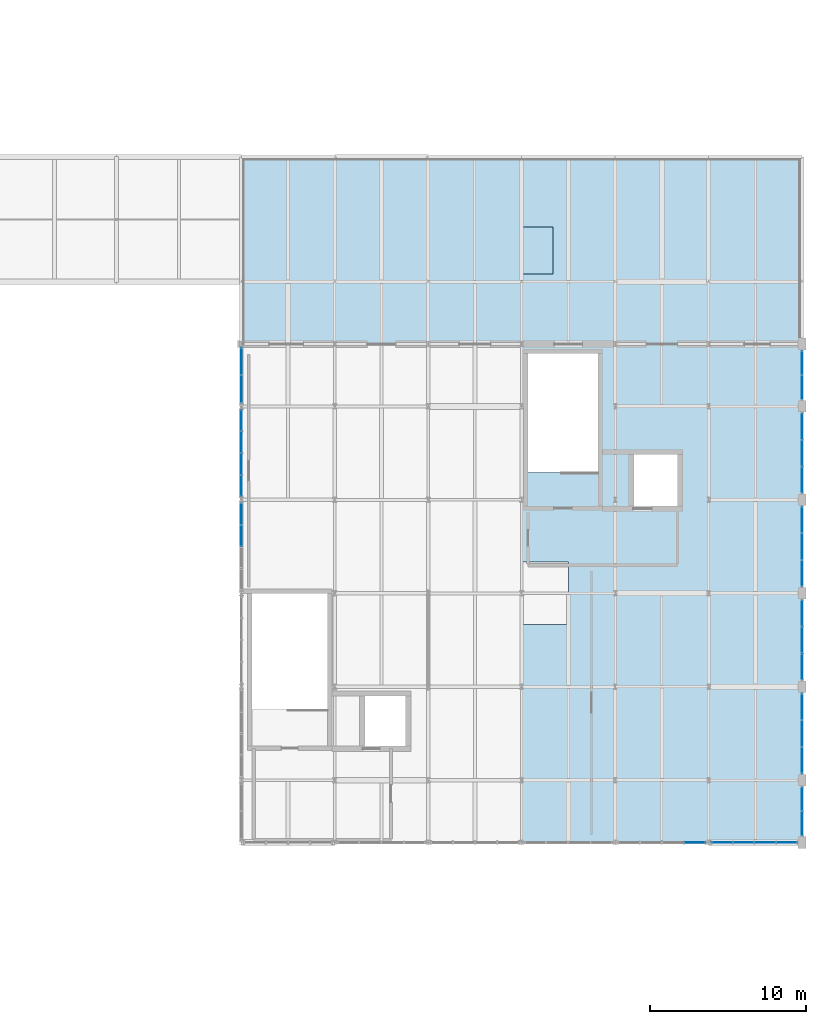
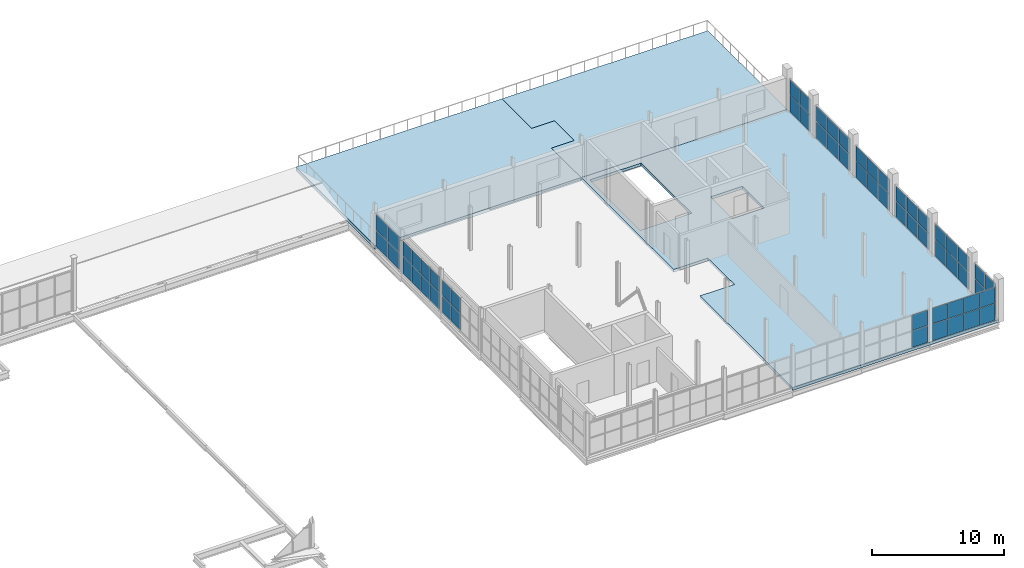
# One storey, part 80 of 96: 58 plates, 3 slabs, 11 elements without a shape of their own.
"""IFC4 building model written with IfcOpenShell, lengths in metres."""

from ifc_helpers import new_model, si_unit, direction, frame, origin, origin_2d, place, context, subcontext, project, spatial, polyline, rectangle, outline, extrude, material, layer, layer_set, type_object, element, aggregate, save


model = new_model("IFC4")

# Units and contexts
model_context = context("Model", 3, precision=1e-05, world=origin(), true_north=direction((0.0, 1.0)))
body_context = subcontext(model_context, "Body", "Model", "MODEL_VIEW")
ifc_project = project(units=[si_unit("LENGTHUNIT", "METRE"), si_unit("AREAUNIT", "SQUARE_METRE"), si_unit("VOLUMEUNIT", "CUBIC_METRE"), si_unit("PLANEANGLEUNIT", "RADIAN"), si_unit("MASSUNIT", "GRAM", prefix="KILO")], contexts=[model_context])

# Site, building, storey
site_placement = place(None, origin())
site = spatial("IfcSite", under=ifc_project, at=site_placement, CompositionType="ELEMENT")
building_placement = place(site_placement, origin())
building = spatial("IfcBuilding", under=site, at=building_placement, Name="Verrall Gate Interchange", CompositionType="ELEMENT")
storey_placement = place(building_placement, frame((0.0, 0.0, 11.39990234375)))
storey = spatial("IfcBuildingStorey", under=building, at=storey_placement, Name="L03", CompositionType="ELEMENT", Elevation=11.39990234375)

# Curtain wall, plates
ifc_material_1 = material(Name="Thermally Broken Anodized Aluminium Curtain Wall Framing", Category="aluminium")
curtain_wall_type_1 = type_object("IfcCurtainWallType", Name="CW-31 Unitized Curtain Wall 5682x3110", PredefinedType="NOTDEFINED", material=ifc_material_1)
curtain_wall_1_placement = place(storey_placement, origin())
curtain_wall_1 = element("IfcCurtainWall", 1, at=curtain_wall_1_placement, inside=storey, type_object=curtain_wall_type_1, Name="L03 Unitized Curtain Wall CW-L03-113", PredefinedType="NOTDEFINED")
ifc_material_2 = material(Name="Triple-Glazed Low-E Argon Insulated Curtain Panel (U=1.45)", Category="glass")
ifc_layer_1 = layer(ifc_material_2, 0.030029296875)
ifc_layer_set_1 = layer_set([ifc_layer_1], Name="Triple-Glazed Low-E Argon Insulated Curtain Panel (U=1.45)")
plate_type_1 = type_object("IfcPlateType", Name="CP-01 Curtain Glazing Panel 30", PredefinedType="CURTAIN_PANEL", material=ifc_layer_set_1)
plate_1_placement = place(storey_placement, frame((161.112060546875, 12.0, 0.06298828125), z_axis=(0.0, 0.0, 1.0), x_axis=(1.0, 0.0, 0.0)))
plate_1 = element("IfcPlate", 2, at=plate_1_placement, type_object=plate_type_1, Name="CW-L03-113 Glazing Panel 4.1", PredefinedType="CURTAIN_PANEL", context=body_context, shape_type="SweptSolid", body=[
    extrude(rectangle(XDim=1.33203125, YDim=0.030029296875, at=origin_2d()), origin(), (0.0, 0.0, 1.0), 1.52880859375),
])
plate_2_placement = place(storey_placement, frame((161.112060546875, 12.0, 1.642822265625), z_axis=(0.0, 0.0, 1.0), x_axis=(1.0, 0.0, 0.0)))
plate_2 = element("IfcPlate", 3, at=plate_2_placement, type_object=plate_type_1, Name="CW-L03-113 Glazing Panel 4.2", PredefinedType="CURTAIN_PANEL", context=body_context, shape_type="SweptSolid", body=[
    extrude(rectangle(XDim=1.33203125, YDim=0.030029296875, at=origin_2d()), origin(), (0.0, 0.0, 1.0), 1.404296875),
])
aggregate(curtain_wall_1, [plate_1, plate_2])

ifc_material_3 = material(Name="Thermally Broken Anodized Aluminium Curtain Wall Framing", Category="aluminium")
curtain_wall_type_2 = type_object("IfcCurtainWallType", Name="CW-38 Unitized Curtain Wall 5186x3110", PredefinedType="NOTDEFINED", material=ifc_material_3)
curtain_wall_2_placement = place(storey_placement, origin())
curtain_wall_2 = element("IfcCurtainWall", 4, at=curtain_wall_2_placement, inside=storey, type_object=curtain_wall_type_2, Name="L03 Unitized Curtain Wall CW-L03-116", PredefinedType="NOTDEFINED")
plate_3_placement = place(storey_placement, frame((168.0, 17.28759765625, 0.0546875), z_axis=(0.0, 0.0, 1.0), x_axis=(0.0, 1.0, 0.0)))
plate_3 = element("IfcPlate", 5, at=plate_3_placement, type_object=plate_type_1, Name="CW-L03-116 Glazing Panel 1.1", PredefinedType="CURTAIN_PANEL", context=body_context, shape_type="SweptSolid", body=[
    extrude(rectangle(XDim=1.652099609375, YDim=0.030029296875, at=origin_2d()), origin(), (0.0, 0.0, 1.0), 1.54052734375),
])
plate_4_placement = place(storey_placement, frame((168.0, 17.28759765625, 1.639404296875), z_axis=(0.0, 0.0, 1.0), x_axis=(0.0, 1.0, 0.0)))
plate_4 = element("IfcPlate", 6, at=plate_4_placement, type_object=plate_type_1, Name="CW-L03-116 Glazing Panel 1.2", PredefinedType="CURTAIN_PANEL", context=body_context, shape_type="SweptSolid", body=[
    extrude(rectangle(XDim=1.652099609375, YDim=0.030029296875, at=origin_2d()), origin(), (0.0, 0.0, 1.0), 1.416015625),
])
plate_5_placement = place(storey_placement, frame((168.0, 19.0, 0.0546875), z_axis=(0.0, 0.0, 1.0), x_axis=(0.0, 1.0, 0.0)))
plate_5 = element("IfcPlate", 7, at=plate_5_placement, type_object=plate_type_1, Name="CW-L03-116 Glazing Panel 2.1", PredefinedType="CURTAIN_PANEL", context=body_context, shape_type="SweptSolid", body=[
    extrude(rectangle(XDim=1.684326171875, YDim=0.030029296875, at=origin_2d()), origin(), (0.0, 0.0, 1.0), 1.54052734375),
])
plate_6_placement = place(storey_placement, frame((168.0, 19.0, 1.639404296875), z_axis=(0.0, 0.0, 1.0), x_axis=(0.0, 1.0, 0.0)))
plate_6 = element("IfcPlate", 8, at=plate_6_placement, type_object=plate_type_1, Name="CW-L03-116 Glazing Panel 2.2", PredefinedType="CURTAIN_PANEL", context=body_context, shape_type="SweptSolid", body=[
    extrude(rectangle(XDim=1.684326171875, YDim=0.030029296875, at=origin_2d()), origin(), (0.0, 0.0, 1.0), 1.416015625),
])
plate_7_placement = place(storey_placement, frame((168.0, 20.71240234375, 0.0546875), z_axis=(0.0, 0.0, 1.0), x_axis=(0.0, 1.0, 0.0)))
plate_7 = element("IfcPlate", 9, at=plate_7_placement, type_object=plate_type_1, Name="CW-L03-116 Glazing Panel 3.1", PredefinedType="CURTAIN_PANEL", context=body_context, shape_type="SweptSolid", body=[
    extrude(rectangle(XDim=1.652099609375, YDim=0.030029296875, at=origin_2d()), origin(), (0.0, 0.0, 1.0), 1.54052734375),
])
plate_8_placement = place(storey_placement, frame((168.0, 20.71240234375, 1.639404296875), z_axis=(0.0, 0.0, 1.0), x_axis=(0.0, 1.0, 0.0)))
plate_8 = element("IfcPlate", 10, at=plate_8_placement, type_object=plate_type_1, Name="CW-L03-116 Glazing Panel 3.2", PredefinedType="CURTAIN_PANEL", context=body_context, shape_type="SweptSolid", body=[
    extrude(rectangle(XDim=1.652099609375, YDim=0.030029296875, at=origin_2d()), origin(), (0.0, 0.0, 1.0), 1.416015625),
])
aggregate(curtain_wall_2, [plate_3, plate_4, plate_5, plate_6, plate_7, plate_8])

ifc_material_4 = material(Name="Thermally Broken Anodized Aluminium Curtain Wall Framing", Category="aluminium")
curtain_wall_type_3 = type_object("IfcCurtainWallType", Name="CW-39 Unitized Curtain Wall 5186x3030", PredefinedType="NOTDEFINED", material=ifc_material_4)
curtain_wall_3_placement = place(storey_placement, origin())
curtain_wall_3 = element("IfcCurtainWall", 11, at=curtain_wall_3_placement, inside=storey, type_object=curtain_wall_type_3, Name="L03 Unitized Curtain Wall CW-L03-117", PredefinedType="NOTDEFINED")
plate_9_placement = place(storey_placement, frame((168.0, 23.2900390625, 0.06298828125), z_axis=(0.0, 0.0, 1.0), x_axis=(0.0, 1.0, 0.0)))
plate_9 = element("IfcPlate", 12, at=plate_9_placement, type_object=plate_type_1, Name="CW-L03-117 Glazing Panel 1.1", PredefinedType="CURTAIN_PANEL", context=body_context, shape_type="SweptSolid", body=[
    extrude(rectangle(XDim=1.64013671875, YDim=0.030029296875, at=origin_2d()), origin(), (0.0, 0.0, 1.0), 1.487060546875),
])
plate_10_placement = place(storey_placement, frame((168.0, 23.2900390625, 1.60107421875), z_axis=(0.0, 0.0, 1.0), x_axis=(0.0, 1.0, 0.0)))
plate_10 = element("IfcPlate", 13, at=plate_10_placement, type_object=plate_type_1, Name="CW-L03-117 Glazing Panel 1.2", PredefinedType="CURTAIN_PANEL", context=body_context, shape_type="SweptSolid", body=[
    extrude(rectangle(XDim=1.64013671875, YDim=0.030029296875, at=origin_2d()), origin(), (0.0, 0.0, 1.0), 1.365966796875),
])
plate_11_placement = place(storey_placement, frame((168.0, 25.0, 0.06298828125), z_axis=(0.0, 0.0, 1.0), x_axis=(0.0, 1.0, 0.0)))
plate_11 = element("IfcPlate", 14, at=plate_11_placement, type_object=plate_type_1, Name="CW-L03-117 Glazing Panel 2.1", PredefinedType="CURTAIN_PANEL", context=body_context, shape_type="SweptSolid", body=[
    extrude(rectangle(XDim=1.677490234375, YDim=0.030029296875, at=origin_2d()), origin(), (0.0, 0.0, 1.0), 1.487060546875),
])
plate_12_placement = place(storey_placement, frame((168.0, 25.0, 1.60107421875), z_axis=(0.0, 0.0, 1.0), x_axis=(0.0, 1.0, 0.0)))
plate_12 = element("IfcPlate", 15, at=plate_12_placement, type_object=plate_type_1, Name="CW-L03-117 Glazing Panel 2.2", PredefinedType="CURTAIN_PANEL", context=body_context, shape_type="SweptSolid", body=[
    extrude(rectangle(XDim=1.677490234375, YDim=0.030029296875, at=origin_2d()), origin(), (0.0, 0.0, 1.0), 1.365966796875),
])
plate_13_placement = place(storey_placement, frame((168.0, 26.7099609375, 0.06298828125), z_axis=(0.0, 0.0, 1.0), x_axis=(0.0, 1.0, 0.0)))
plate_13 = element("IfcPlate", 16, at=plate_13_placement, type_object=plate_type_1, Name="CW-L03-117 Glazing Panel 3.1", PredefinedType="CURTAIN_PANEL", context=body_context, shape_type="SweptSolid", body=[
    extrude(rectangle(XDim=1.64013671875, YDim=0.030029296875, at=origin_2d()), origin(), (0.0, 0.0, 1.0), 1.487060546875),
])
plate_14_placement = place(storey_placement, frame((168.0, 26.7099609375, 1.60107421875), z_axis=(0.0, 0.0, 1.0), x_axis=(0.0, 1.0, 0.0)))
plate_14 = element("IfcPlate", 17, at=plate_14_placement, type_object=plate_type_1, Name="CW-L03-117 Glazing Panel 3.2", PredefinedType="CURTAIN_PANEL", context=body_context, shape_type="SweptSolid", body=[
    extrude(rectangle(XDim=1.64013671875, YDim=0.030029296875, at=origin_2d()), origin(), (0.0, 0.0, 1.0), 1.365966796875),
])
aggregate(curtain_wall_3, [plate_9, plate_10, plate_11, plate_12, plate_13, plate_14])

ifc_material_5 = material(Name="Thermally Broken Anodized Aluminium Curtain Wall Framing", Category="aluminium")
curtain_wall_type_4 = type_object("IfcCurtainWallType", Name="CW-37 Unitized Curtain Wall 3186x3110", PredefinedType="NOTDEFINED", material=ifc_material_5)
curtain_wall_4_placement = place(storey_placement, origin())
curtain_wall_4 = element("IfcCurtainWall", 18, at=curtain_wall_4_placement, inside=storey, type_object=curtain_wall_type_4, Name="L03 Unitized Curtain Wall CW-L03-120", PredefinedType="NOTDEFINED")
plate_15_placement = place(storey_placement, frame((168.0, 41.2197265625, 0.0546875), z_axis=(0.0, 0.0, 1.0), x_axis=(0.0, 1.0, 0.0)))
plate_15 = element("IfcPlate", 19, at=plate_15_placement, type_object=plate_type_1, Name="CW-L03-120 Glazing Panel 1.1", PredefinedType="CURTAIN_PANEL", context=body_context, shape_type="SweptSolid", body=[
    extrude(rectangle(XDim=1.516357421875, YDim=0.030029296875, at=origin_2d()), origin(), (0.0, 0.0, 1.0), 1.54052734375),
])
plate_16_placement = place(storey_placement, frame((168.0, 41.2197265625, 1.639404296875), z_axis=(0.0, 0.0, 1.0), x_axis=(0.0, 1.0, 0.0)))
plate_16 = element("IfcPlate", 20, at=plate_16_placement, type_object=plate_type_1, Name="CW-L03-120 Glazing Panel 1.2", PredefinedType="CURTAIN_PANEL", context=body_context, shape_type="SweptSolid", body=[
    extrude(rectangle(XDim=1.516357421875, YDim=0.030029296875, at=origin_2d()), origin(), (0.0, 0.0, 1.0), 1.416015625),
])
plate_17_placement = place(storey_placement, frame((168.0, 42.7802734375, 0.0546875), z_axis=(0.0, 0.0, 1.0), x_axis=(0.0, 1.0, 0.0)))
plate_17 = element("IfcPlate", 21, at=plate_17_placement, type_object=plate_type_1, Name="CW-L03-120 Glazing Panel 2.1", PredefinedType="CURTAIN_PANEL", context=body_context, shape_type="SweptSolid", body=[
    extrude(rectangle(XDim=1.516357421875, YDim=0.030029296875, at=origin_2d()), origin(), (0.0, 0.0, 1.0), 1.54052734375),
])
plate_18_placement = place(storey_placement, frame((168.0, 42.7802734375, 1.639404296875), z_axis=(0.0, 0.0, 1.0), x_axis=(0.0, 1.0, 0.0)))
plate_18 = element("IfcPlate", 22, at=plate_18_placement, type_object=plate_type_1, Name="CW-L03-120 Glazing Panel 2.2", PredefinedType="CURTAIN_PANEL", context=body_context, shape_type="SweptSolid", body=[
    extrude(rectangle(XDim=1.516357421875, YDim=0.030029296875, at=origin_2d()), origin(), (0.0, 0.0, 1.0), 1.416015625),
])
aggregate(curtain_wall_4, [plate_15, plate_16, plate_17, plate_18])

ifc_material_6 = material(Name="Thermally Broken Anodized Aluminium Curtain Wall Framing", Category="aluminium")
curtain_wall_type_5 = type_object("IfcCurtainWallType", Name="CW-17 Unitized Curtain Wall 3631x3100", PredefinedType="NOTDEFINED", material=ifc_material_6)
curtain_wall_5_placement = place(storey_placement, origin())
curtain_wall_5 = element("IfcCurtainWall", 23, at=curtain_wall_5_placement, inside=storey, type_object=curtain_wall_type_5, Name="L03 Unitized Curtain Wall CW-L03-121", PredefinedType="NOTDEFINED")
plate_19_placement = place(storey_placement, frame((132.0, 42.888671875, 0.06298828125), z_axis=(0.0, 0.0, 1.0), x_axis=(0.0, -1.0, 0.0)))
plate_19 = element("IfcPlate", 24, at=plate_19_placement, type_object=plate_type_1, Name="CW-L03-121 Glazing Panel 1.1", PredefinedType="CURTAIN_PANEL", context=body_context, shape_type="SweptSolid", body=[
    extrude(rectangle(XDim=1.7265625, YDim=0.030029296875, at=origin_2d()), origin(), (0.0, 0.0, 1.0), 1.52880859375),
])
plate_20_placement = place(storey_placement, frame((132.0, 42.888671875, 1.642822265625), z_axis=(0.0, 0.0, 1.0), x_axis=(0.0, -1.0, 0.0)))
plate_20 = element("IfcPlate", 25, at=plate_20_placement, type_object=plate_type_1, Name="CW-L03-121 Glazing Panel 1.2", PredefinedType="CURTAIN_PANEL", context=body_context, shape_type="SweptSolid", body=[
    extrude(rectangle(XDim=1.7265625, YDim=0.030029296875, at=origin_2d()), origin(), (0.0, 0.0, 1.0), 1.404296875),
])
plate_21_placement = place(storey_placement, frame((132.0, 41.111083984375, 0.06298828125), z_axis=(0.0, 0.0, 1.0), x_axis=(0.0, -1.0, 0.0)))
plate_21 = element("IfcPlate", 26, at=plate_21_placement, type_object=plate_type_1, Name="CW-L03-121 Glazing Panel 2.1", PredefinedType="CURTAIN_PANEL", context=body_context, shape_type="SweptSolid", body=[
    extrude(rectangle(XDim=1.7265625, YDim=0.030029296875, at=origin_2d()), origin(), (0.0, 0.0, 1.0), 1.52880859375),
])
plate_22_placement = place(storey_placement, frame((132.0, 41.111083984375, 1.642822265625), z_axis=(0.0, 0.0, 1.0), x_axis=(0.0, -1.0, 0.0)))
plate_22 = element("IfcPlate", 27, at=plate_22_placement, type_object=plate_type_1, Name="CW-L03-121 Glazing Panel 2.2", PredefinedType="CURTAIN_PANEL", context=body_context, shape_type="SweptSolid", body=[
    extrude(rectangle(XDim=1.7265625, YDim=0.030029296875, at=origin_2d()), origin(), (0.0, 0.0, 1.0), 1.404296875),
])
aggregate(curtain_wall_5, [plate_19, plate_20, plate_21, plate_22])

ifc_material_7 = material(Name="Thermally Broken Anodized Aluminium Curtain Wall Framing", Category="aluminium")
curtain_wall_type_6 = type_object("IfcCurtainWallType", Name="CW-36 Unitized Curtain Wall 5559x3110", PredefinedType="NOTDEFINED", material=ifc_material_7)
curtain_wall_6_placement = place(storey_placement, origin())
curtain_wall_6 = element("IfcCurtainWall", 28, at=curtain_wall_6_placement, inside=storey, type_object=curtain_wall_type_6, Name="L03 Unitized Curtain Wall CW-L03-114", PredefinedType="NOTDEFINED")
ifc_material_8 = material(Name="Triple-Glazed Low-E Argon Insulated Curtain Panel (U=1.45)", Category="glass")
ifc_layer_2 = layer(ifc_material_8, 0.0400390625)
ifc_layer_set_2 = layer_set([ifc_layer_2], Name="Triple-Glazed Low-E Argon Insulated Curtain Panel (U=1.45)")
plate_type_2 = type_object("IfcPlateType", Name="CP-02 Curtain Glazing Panel 40", PredefinedType="CURTAIN_PANEL", material=ifc_layer_set_2)
plate_23_placement = place(storey_placement, frame((162.8701171875, 12.0, 0.0546875), z_axis=(0.0, 0.0, 1.0), x_axis=(1.0, 0.0, 0.0)))
plate_23 = element("IfcPlate", 29, at=plate_23_placement, type_object=plate_type_2, Name="CW-L03-114 Glazing Panel 1.1", PredefinedType="CURTAIN_PANEL", context=body_context, shape_type="SweptSolid", body=[
    extrude(rectangle(XDim=1.31298828125, YDim=0.0400390625, at=origin_2d()), origin(), (0.0, 0.0, 1.0), 1.54052734375),
])
plate_24_placement = place(storey_placement, frame((162.8701171875, 12.0, 1.639404296875), z_axis=(0.0, 0.0, 1.0), x_axis=(1.0, 0.0, 0.0)))
plate_24 = element("IfcPlate", 30, at=plate_24_placement, type_object=plate_type_2, Name="CW-L03-114 Glazing Panel 1.2", PredefinedType="CURTAIN_PANEL", context=body_context, shape_type="SweptSolid", body=[
    extrude(rectangle(XDim=1.31298828125, YDim=0.0400390625, at=origin_2d()), origin(), (0.0, 0.0, 1.0), 1.416015625),
])
plate_25_placement = place(storey_placement, frame((164.24365234375, 12.0, 0.0546875), z_axis=(0.0, 0.0, 1.0), x_axis=(1.0, 0.0, 0.0)))
plate_25 = element("IfcPlate", 31, at=plate_25_placement, type_object=plate_type_2, Name="CW-L03-114 Glazing Panel 2.1", PredefinedType="CURTAIN_PANEL", context=body_context, shape_type="SweptSolid", body=[
    extrude(rectangle(XDim=1.345458984375, YDim=0.0400390625, at=origin_2d()), origin(), (0.0, 0.0, 1.0), 1.54052734375),
])
plate_26_placement = place(storey_placement, frame((164.24365234375, 12.0, 1.639404296875), z_axis=(0.0, 0.0, 1.0), x_axis=(1.0, 0.0, 0.0)))
plate_26 = element("IfcPlate", 32, at=plate_26_placement, type_object=plate_type_2, Name="CW-L03-114 Glazing Panel 2.2", PredefinedType="CURTAIN_PANEL", context=body_context, shape_type="SweptSolid", body=[
    extrude(rectangle(XDim=1.345458984375, YDim=0.0400390625, at=origin_2d()), origin(), (0.0, 0.0, 1.0), 1.416015625),
])
plate_27_placement = place(storey_placement, frame((165.63330078125, 12.0, 0.0546875), z_axis=(0.0, 0.0, 1.0), x_axis=(1.0, 0.0, 0.0)))
plate_27 = element("IfcPlate", 33, at=plate_27_placement, type_object=plate_type_2, Name="CW-L03-114 Glazing Panel 3.1", PredefinedType="CURTAIN_PANEL", context=body_context, shape_type="SweptSolid", body=[
    extrude(rectangle(XDim=1.345458984375, YDim=0.0400390625, at=origin_2d()), origin(), (0.0, 0.0, 1.0), 1.54052734375),
])
plate_28_placement = place(storey_placement, frame((165.63330078125, 12.0, 1.639404296875), z_axis=(0.0, 0.0, 1.0), x_axis=(1.0, 0.0, 0.0)))
plate_28 = element("IfcPlate", 34, at=plate_28_placement, type_object=plate_type_2, Name="CW-L03-114 Glazing Panel 3.2", PredefinedType="CURTAIN_PANEL", context=body_context, shape_type="SweptSolid", body=[
    extrude(rectangle(XDim=1.345458984375, YDim=0.0400390625, at=origin_2d()), origin(), (0.0, 0.0, 1.0), 1.416015625),
])
plate_29_placement = place(storey_placement, frame((167.0068359375, 12.0, 0.0546875), z_axis=(0.0, 0.0, 1.0), x_axis=(1.0, 0.0, 0.0)))
plate_29 = element("IfcPlate", 35, at=plate_29_placement, type_object=plate_type_2, Name="CW-L03-114 Glazing Panel 4.1", PredefinedType="CURTAIN_PANEL", context=body_context, shape_type="SweptSolid", body=[
    extrude(rectangle(XDim=1.31298828125, YDim=0.0400390625, at=origin_2d()), origin(), (0.0, 0.0, 1.0), 1.54052734375),
])
plate_30_placement = place(storey_placement, frame((167.0068359375, 12.0, 1.639404296875), z_axis=(0.0, 0.0, 1.0), x_axis=(1.0, 0.0, 0.0)))
plate_30 = element("IfcPlate", 36, at=plate_30_placement, type_object=plate_type_2, Name="CW-L03-114 Glazing Panel 4.2", PredefinedType="CURTAIN_PANEL", context=body_context, shape_type="SweptSolid", body=[
    extrude(rectangle(XDim=1.31298828125, YDim=0.0400390625, at=origin_2d()), origin(), (0.0, 0.0, 1.0), 1.416015625),
])
aggregate(curtain_wall_6, [plate_23, plate_24, plate_25, plate_26, plate_27, plate_28, plate_29, plate_30])

curtain_wall_7_placement = place(storey_placement, origin())
curtain_wall_7 = element("IfcCurtainWall", 37, at=curtain_wall_7_placement, inside=storey, type_object=curtain_wall_type_4, Name="L03 Unitized Curtain Wall CW-L03-115", PredefinedType="NOTDEFINED")
plate_31_placement = place(storey_placement, frame((168.0, 13.222412109375, 0.06298828125), z_axis=(0.0, 0.0, 1.0), x_axis=(0.0, 1.0, 0.0)))
plate_31 = element("IfcPlate", 38, at=plate_31_placement, type_object=plate_type_2, Name="CW-L03-115 Glazing Panel 1.1", PredefinedType="CURTAIN_PANEL", context=body_context, shape_type="SweptSolid", body=[
    extrude(rectangle(XDim=1.50439453125, YDim=0.0400390625, at=origin_2d()), origin(), (0.0, 0.0, 1.0), 1.52880859375),
])
plate_32_placement = place(storey_placement, frame((168.0, 13.222412109375, 1.642822265625), z_axis=(0.0, 0.0, 1.0), x_axis=(0.0, 1.0, 0.0)))
plate_32 = element("IfcPlate", 39, at=plate_32_placement, type_object=plate_type_2, Name="CW-L03-115 Glazing Panel 1.2", PredefinedType="CURTAIN_PANEL", context=body_context, shape_type="SweptSolid", body=[
    extrude(rectangle(XDim=1.50439453125, YDim=0.0400390625, at=origin_2d()), origin(), (0.0, 0.0, 1.0), 1.404296875),
])
plate_33_placement = place(storey_placement, frame((168.0, 14.77783203125, 0.06298828125), z_axis=(0.0, 0.0, 1.0), x_axis=(0.0, 1.0, 0.0)))
plate_33 = element("IfcPlate", 40, at=plate_33_placement, type_object=plate_type_2, Name="CW-L03-115 Glazing Panel 2.1", PredefinedType="CURTAIN_PANEL", context=body_context, shape_type="SweptSolid", body=[
    extrude(rectangle(XDim=1.50439453125, YDim=0.0400390625, at=origin_2d()), origin(), (0.0, 0.0, 1.0), 1.52880859375),
])
plate_34_placement = place(storey_placement, frame((168.0, 14.77783203125, 1.642822265625), z_axis=(0.0, 0.0, 1.0), x_axis=(0.0, 1.0, 0.0)))
plate_34 = element("IfcPlate", 41, at=plate_34_placement, type_object=plate_type_2, Name="CW-L03-115 Glazing Panel 2.2", PredefinedType="CURTAIN_PANEL", context=body_context, shape_type="SweptSolid", body=[
    extrude(rectangle(XDim=1.50439453125, YDim=0.0400390625, at=origin_2d()), origin(), (0.0, 0.0, 1.0), 1.404296875),
])
aggregate(curtain_wall_7, [plate_31, plate_32, plate_33, plate_34])

curtain_wall_8_placement = place(storey_placement, origin())
curtain_wall_8 = element("IfcCurtainWall", 42, at=curtain_wall_8_placement, inside=storey, type_object=curtain_wall_type_3, Name="L03 Unitized Curtain Wall CW-L03-118", PredefinedType="NOTDEFINED")
plate_35_placement = place(storey_placement, frame((168.0, 29.28759765625, 0.0546875), z_axis=(0.0, 0.0, 1.0), x_axis=(0.0, 1.0, 0.0)))
plate_35 = element("IfcPlate", 43, at=plate_35_placement, type_object=plate_type_2, Name="CW-L03-118 Glazing Panel 1.1", PredefinedType="CURTAIN_PANEL", context=body_context, shape_type="SweptSolid", body=[
    extrude(rectangle(XDim=1.652099609375, YDim=0.0400390625, at=origin_2d()), origin(), (0.0, 0.0, 1.0), 1.498779296875),
])
plate_36_placement = place(storey_placement, frame((168.0, 29.28759765625, 1.59765625), z_axis=(0.0, 0.0, 1.0), x_axis=(0.0, 1.0, 0.0)))
plate_36 = element("IfcPlate", 44, at=plate_36_placement, type_object=plate_type_2, Name="CW-L03-118 Glazing Panel 1.2", PredefinedType="CURTAIN_PANEL", context=body_context, shape_type="SweptSolid", body=[
    extrude(rectangle(XDim=1.652099609375, YDim=0.0400390625, at=origin_2d()), origin(), (0.0, 0.0, 1.0), 1.377685546875),
])
plate_37_placement = place(storey_placement, frame((168.0, 31.0, 0.0546875), z_axis=(0.0, 0.0, 1.0), x_axis=(0.0, 1.0, 0.0)))
plate_37 = element("IfcPlate", 45, at=plate_37_placement, type_object=plate_type_2, Name="CW-L03-118 Glazing Panel 2.1", PredefinedType="CURTAIN_PANEL", context=body_context, shape_type="SweptSolid", body=[
    extrude(rectangle(XDim=1.684326171875, YDim=0.0400390625, at=origin_2d()), origin(), (0.0, 0.0, 1.0), 1.498779296875),
])
plate_38_placement = place(storey_placement, frame((168.0, 31.0, 1.59765625), z_axis=(0.0, 0.0, 1.0), x_axis=(0.0, 1.0, 0.0)))
plate_38 = element("IfcPlate", 46, at=plate_38_placement, type_object=plate_type_2, Name="CW-L03-118 Glazing Panel 2.2", PredefinedType="CURTAIN_PANEL", context=body_context, shape_type="SweptSolid", body=[
    extrude(rectangle(XDim=1.684326171875, YDim=0.0400390625, at=origin_2d()), origin(), (0.0, 0.0, 1.0), 1.377685546875),
])
plate_39_placement = place(storey_placement, frame((168.0, 32.71240234375, 0.0546875), z_axis=(0.0, 0.0, 1.0), x_axis=(0.0, 1.0, 0.0)))
plate_39 = element("IfcPlate", 47, at=plate_39_placement, type_object=plate_type_2, Name="CW-L03-118 Glazing Panel 3.1", PredefinedType="CURTAIN_PANEL", context=body_context, shape_type="SweptSolid", body=[
    extrude(rectangle(XDim=1.652099609375, YDim=0.0400390625, at=origin_2d()), origin(), (0.0, 0.0, 1.0), 1.498779296875),
])
plate_40_placement = place(storey_placement, frame((168.0, 32.71240234375, 1.59765625), z_axis=(0.0, 0.0, 1.0), x_axis=(0.0, 1.0, 0.0)))
plate_40 = element("IfcPlate", 48, at=plate_40_placement, type_object=plate_type_2, Name="CW-L03-118 Glazing Panel 3.2", PredefinedType="CURTAIN_PANEL", context=body_context, shape_type="SweptSolid", body=[
    extrude(rectangle(XDim=1.652099609375, YDim=0.0400390625, at=origin_2d()), origin(), (0.0, 0.0, 1.0), 1.377685546875),
])
aggregate(curtain_wall_8, [plate_35, plate_36, plate_37, plate_38, plate_39, plate_40])

curtain_wall_9_placement = place(storey_placement, origin())
curtain_wall_9 = element("IfcCurtainWall", 49, at=curtain_wall_9_placement, inside=storey, type_object=curtain_wall_type_2, Name="L03 Unitized Curtain Wall CW-L03-119", PredefinedType="NOTDEFINED")
plate_41_placement = place(storey_placement, frame((168.0, 35.2900390625, 0.06298828125), z_axis=(0.0, 0.0, 1.0), x_axis=(0.0, 1.0, 0.0)))
plate_41 = element("IfcPlate", 50, at=plate_41_placement, type_object=plate_type_2, Name="CW-L03-119 Glazing Panel 1.1", PredefinedType="CURTAIN_PANEL", context=body_context, shape_type="SweptSolid", body=[
    extrude(rectangle(XDim=1.64013671875, YDim=0.0400390625, at=origin_2d()), origin(), (0.0, 0.0, 1.0), 1.52880859375),
])
plate_42_placement = place(storey_placement, frame((168.0, 35.2900390625, 1.642822265625), z_axis=(0.0, 0.0, 1.0), x_axis=(0.0, 1.0, 0.0)))
plate_42 = element("IfcPlate", 51, at=plate_42_placement, type_object=plate_type_2, Name="CW-L03-119 Glazing Panel 1.2", PredefinedType="CURTAIN_PANEL", context=body_context, shape_type="SweptSolid", body=[
    extrude(rectangle(XDim=1.64013671875, YDim=0.0400390625, at=origin_2d()), origin(), (0.0, 0.0, 1.0), 1.404296875),
])
plate_43_placement = place(storey_placement, frame((168.0, 37.0, 0.06298828125), z_axis=(0.0, 0.0, 1.0), x_axis=(0.0, 1.0, 0.0)))
plate_43 = element("IfcPlate", 52, at=plate_43_placement, type_object=plate_type_2, Name="CW-L03-119 Glazing Panel 2.1", PredefinedType="CURTAIN_PANEL", context=body_context, shape_type="SweptSolid", body=[
    extrude(rectangle(XDim=1.677490234375, YDim=0.0400390625, at=origin_2d()), origin(), (0.0, 0.0, 1.0), 1.52880859375),
])
plate_44_placement = place(storey_placement, frame((168.0, 37.0, 1.642822265625), z_axis=(0.0, 0.0, 1.0), x_axis=(0.0, 1.0, 0.0)))
plate_44 = element("IfcPlate", 53, at=plate_44_placement, type_object=plate_type_2, Name="CW-L03-119 Glazing Panel 2.2", PredefinedType="CURTAIN_PANEL", context=body_context, shape_type="SweptSolid", body=[
    extrude(rectangle(XDim=1.677490234375, YDim=0.0400390625, at=origin_2d()), origin(), (0.0, 0.0, 1.0), 1.404296875),
])
plate_45_placement = place(storey_placement, frame((168.0, 38.7099609375, 0.06298828125), z_axis=(0.0, 0.0, 1.0), x_axis=(0.0, 1.0, 0.0)))
plate_45 = element("IfcPlate", 54, at=plate_45_placement, type_object=plate_type_2, Name="CW-L03-119 Glazing Panel 3.1", PredefinedType="CURTAIN_PANEL", context=body_context, shape_type="SweptSolid", body=[
    extrude(rectangle(XDim=1.64013671875, YDim=0.0400390625, at=origin_2d()), origin(), (0.0, 0.0, 1.0), 1.52880859375),
])
plate_46_placement = place(storey_placement, frame((168.0, 38.7099609375, 1.642822265625), z_axis=(0.0, 0.0, 1.0), x_axis=(0.0, 1.0, 0.0)))
plate_46 = element("IfcPlate", 55, at=plate_46_placement, type_object=plate_type_2, Name="CW-L03-119 Glazing Panel 3.2", PredefinedType="CURTAIN_PANEL", context=body_context, shape_type="SweptSolid", body=[
    extrude(rectangle(XDim=1.64013671875, YDim=0.0400390625, at=origin_2d()), origin(), (0.0, 0.0, 1.0), 1.404296875),
])
aggregate(curtain_wall_9, [plate_41, plate_42, plate_43, plate_44, plate_45, plate_46])

curtain_wall_10_placement = place(storey_placement, origin())
curtain_wall_10 = element("IfcCurtainWall", 56, at=curtain_wall_10_placement, inside=storey, type_object=curtain_wall_type_6, Name="L03 Unitized Curtain Wall CW-L03-122", PredefinedType="NOTDEFINED")
plate_47_placement = place(storey_placement, frame((132.0, 39.094970703125, 0.0546875), z_axis=(0.0, 0.0, 1.0), x_axis=(0.0, -1.0, 0.0)))
plate_47 = element("IfcPlate", 57, at=plate_47_placement, type_object=plate_type_2, Name="CW-L03-122 Glazing Panel 1.1", PredefinedType="CURTAIN_PANEL", context=body_context, shape_type="SweptSolid", body=[
    extrude(rectangle(XDim=1.330810546875, YDim=0.0400390625, at=origin_2d()), origin(), (0.0, 0.0, 1.0), 1.54052734375),
])
plate_48_placement = place(storey_placement, frame((132.0, 39.094970703125, 1.639404296875), z_axis=(0.0, 0.0, 1.0), x_axis=(0.0, -1.0, 0.0)))
plate_48 = element("IfcPlate", 58, at=plate_48_placement, type_object=plate_type_2, Name="CW-L03-122 Glazing Panel 1.2", PredefinedType="CURTAIN_PANEL", context=body_context, shape_type="SweptSolid", body=[
    extrude(rectangle(XDim=1.330810546875, YDim=0.0400390625, at=origin_2d()), origin(), (0.0, 0.0, 1.0), 1.416015625),
])
plate_49_placement = place(storey_placement, frame((132.0, 37.70361328125, 0.0546875), z_axis=(0.0, 0.0, 1.0), x_axis=(0.0, -1.0, 0.0)))
plate_49 = element("IfcPlate", 59, at=plate_49_placement, type_object=plate_type_2, Name="CW-L03-122 Glazing Panel 2.1", PredefinedType="CURTAIN_PANEL", context=body_context, shape_type="SweptSolid", body=[
    extrude(rectangle(XDim=1.36328125, YDim=0.0400390625, at=origin_2d()), origin(), (0.0, 0.0, 1.0), 1.54052734375),
])
plate_50_placement = place(storey_placement, frame((132.0, 37.70361328125, 1.639404296875), z_axis=(0.0, 0.0, 1.0), x_axis=(0.0, -1.0, 0.0)))
plate_50 = element("IfcPlate", 60, at=plate_50_placement, type_object=plate_type_2, Name="CW-L03-122 Glazing Panel 2.2", PredefinedType="CURTAIN_PANEL", context=body_context, shape_type="SweptSolid", body=[
    extrude(rectangle(XDim=1.36328125, YDim=0.0400390625, at=origin_2d()), origin(), (0.0, 0.0, 1.0), 1.416015625),
])
plate_51_placement = place(storey_placement, frame((132.0, 36.29638671875, 0.0546875), z_axis=(0.0, 0.0, 1.0), x_axis=(0.0, -1.0, 0.0)))
plate_51 = element("IfcPlate", 61, at=plate_51_placement, type_object=plate_type_2, Name="CW-L03-122 Glazing Panel 3.1", PredefinedType="CURTAIN_PANEL", context=body_context, shape_type="SweptSolid", body=[
    extrude(rectangle(XDim=1.36328125, YDim=0.0400390625, at=origin_2d()), origin(), (0.0, 0.0, 1.0), 1.54052734375),
])
plate_52_placement = place(storey_placement, frame((132.0, 36.29638671875, 1.639404296875), z_axis=(0.0, 0.0, 1.0), x_axis=(0.0, -1.0, 0.0)))
plate_52 = element("IfcPlate", 62, at=plate_52_placement, type_object=plate_type_2, Name="CW-L03-122 Glazing Panel 3.2", PredefinedType="CURTAIN_PANEL", context=body_context, shape_type="SweptSolid", body=[
    extrude(rectangle(XDim=1.36328125, YDim=0.0400390625, at=origin_2d()), origin(), (0.0, 0.0, 1.0), 1.416015625),
])
plate_53_placement = place(storey_placement, frame((132.0, 34.905029296875, 0.0546875), z_axis=(0.0, 0.0, 1.0), x_axis=(0.0, -1.0, 0.0)))
plate_53 = element("IfcPlate", 63, at=plate_53_placement, type_object=plate_type_2, Name="CW-L03-122 Glazing Panel 4.1", PredefinedType="CURTAIN_PANEL", context=body_context, shape_type="SweptSolid", body=[
    extrude(rectangle(XDim=1.330810546875, YDim=0.0400390625, at=origin_2d()), origin(), (0.0, 0.0, 1.0), 1.54052734375),
])
plate_54_placement = place(storey_placement, frame((132.0, 34.905029296875, 1.639404296875), z_axis=(0.0, 0.0, 1.0), x_axis=(0.0, -1.0, 0.0)))
plate_54 = element("IfcPlate", 64, at=plate_54_placement, type_object=plate_type_2, Name="CW-L03-122 Glazing Panel 4.2", PredefinedType="CURTAIN_PANEL", context=body_context, shape_type="SweptSolid", body=[
    extrude(rectangle(XDim=1.330810546875, YDim=0.0400390625, at=origin_2d()), origin(), (0.0, 0.0, 1.0), 1.416015625),
])
aggregate(curtain_wall_10, [plate_47, plate_48, plate_49, plate_50, plate_51, plate_52, plate_53, plate_54])

curtain_wall_11_placement = place(storey_placement, origin())
curtain_wall_11 = element("IfcCurtainWall", 65, at=curtain_wall_11_placement, inside=storey, type_object=curtain_wall_type_6, Name="L03 Unitized Curtain Wall CW-L03-123", PredefinedType="NOTDEFINED")
plate_55_placement = place(storey_placement, frame((132.0, 33.092529296875, 0.06298828125), z_axis=(0.0, 0.0, 1.0), x_axis=(0.0, -1.0, 0.0)))
plate_55 = element("IfcPlate", 66, at=plate_55_placement, type_object=plate_type_2, Name="CW-L03-123 Glazing Panel 1.1", PredefinedType="CURTAIN_PANEL", context=body_context, shape_type="SweptSolid", body=[
    extrude(rectangle(XDim=1.319091796875, YDim=0.0400390625, at=origin_2d()), origin(), (0.0, 0.0, 1.0), 1.52880859375),
])
plate_56_placement = place(storey_placement, frame((132.0, 33.092529296875, 1.642822265625), z_axis=(0.0, 0.0, 1.0), x_axis=(0.0, -1.0, 0.0)))
plate_56 = element("IfcPlate", 67, at=plate_56_placement, type_object=plate_type_2, Name="CW-L03-123 Glazing Panel 1.2", PredefinedType="CURTAIN_PANEL", context=body_context, shape_type="SweptSolid", body=[
    extrude(rectangle(XDim=1.319091796875, YDim=0.0400390625, at=origin_2d()), origin(), (0.0, 0.0, 1.0), 1.404296875),
])
plate_57_placement = place(storey_placement, frame((132.0, 31.70361328125, 0.06298828125), z_axis=(0.0, 0.0, 1.0), x_axis=(0.0, -1.0, 0.0)))
plate_57 = element("IfcPlate", 68, at=plate_57_placement, type_object=plate_type_2, Name="CW-L03-123 Glazing Panel 2.1", PredefinedType="CURTAIN_PANEL", context=body_context, shape_type="SweptSolid", body=[
    extrude(rectangle(XDim=1.3564453125, YDim=0.0400390625, at=origin_2d()), origin(), (0.0, 0.0, 1.0), 1.52880859375),
])
plate_58_placement = place(storey_placement, frame((132.0, 31.70361328125, 1.642822265625), z_axis=(0.0, 0.0, 1.0), x_axis=(0.0, -1.0, 0.0)))
plate_58 = element("IfcPlate", 69, at=plate_58_placement, type_object=plate_type_2, Name="CW-L03-123 Glazing Panel 2.2", PredefinedType="CURTAIN_PANEL", context=body_context, shape_type="SweptSolid", body=[
    extrude(rectangle(XDim=1.3564453125, YDim=0.0400390625, at=origin_2d()), origin(), (0.0, 0.0, 1.0), 1.404296875),
])
aggregate(curtain_wall_11, [plate_55, plate_56, plate_57, plate_58])

# Slabs
ifc_material_9 = material(Name="Concrete CSA A23.1 40 MPa (Class C-1)", Category="concrete")
ifc_layer_3 = layer(ifc_material_9, 0.320068359375)
ifc_layer_set_3 = layer_set([ifc_layer_3], Name="Concrete CSA A23.1 40 MPa (Class C-1)")
slab_type_1 = type_object("IfcSlabType", Name="FS-06 Floor Slab 320", PredefinedType="FLOOR", material=ifc_layer_set_3)
slab_1_placement = place(storey_placement, frame((0.0, 0.0, -0.31982421875)))
element("IfcSlab", 70, at=slab_1_placement, inside=storey, type_object=slab_type_1, Name="L03 Structural Slab SLB-L03-RG2A", PredefinedType="FLOOR", context=body_context, shape_type="SweptSolid", body=[
    extrude(outline(polyline([(132.0, 56.0), (150.0, 56.0), (150.0, 51.5), (152.0, 51.5), (152.0, 48.5), (150.0, 48.5), (150.0, 44.0), (132.0, 44.0), (132.0, 56.0)])), origin(), (0.0, 0.0, 1.0), 0.31982421875),
])
slab_2_placement = place(storey_placement, frame((0.0, 0.0, -0.31982421875)))
element("IfcSlab", 71, at=slab_2_placement, inside=storey, type_object=slab_type_1, Name="L03 Structural Slab SLB-L03-RG2B", PredefinedType="FLOOR", context=body_context, shape_type="SweptSolid", body=[
    extrude(outline(polyline([(168.0, 44.0), (150.0, 44.0), (150.0, 48.5), (152.0, 48.5), (152.0, 51.5), (150.0, 51.5), (150.0, 56.0), (168.0, 56.0), (168.0, 44.0)])), origin(), (0.0, 0.0, 1.0), 0.31982421875),
])
ifc_material_10 = material(Name="Concrete CSA A23.1 40 MPa (Class N)", Category="concrete")
ifc_layer_4 = layer(ifc_material_10, 0.260009765625)
ifc_layer_set_4 = layer_set([ifc_layer_4], Name="Concrete CSA A23.1 40 MPa (Class N)")
slab_type_2 = type_object("IfcSlabType", Name="FS-09 Floor Slab 260", PredefinedType="FLOOR", material=ifc_layer_set_4)
slab_3_placement = place(storey_placement, frame((0.0, 0.0, -0.260009765625)))
element("IfcSlab", 72, at=slab_3_placement, inside=storey, type_object=slab_type_2, Name="L03 Structural Slab SLB-L03-06", PredefinedType="FLOOR", context=body_context, shape_type="SweptSolid", body=[
    extrude(outline(polyline([(168.0, 12.0), (150.0, 12.0), (150.0, 26.0), (153.0, 26.0), (153.0, 30.0), (150.0, 30.0), (150.0, 44.0), (168.0, 44.0), (168.0, 12.0)]), holes=[polyline([(157.199951171875, 33.60009765625), (160.0, 33.60009765625), (160.0, 36.89990234375), (157.199951171875, 36.89990234375), (157.199951171875, 33.60009765625)]), polyline([(150.39990234375, 43.39990234375), (150.39990234375, 35.75), (154.89990234375, 35.75), (154.89990234375, 43.39990234375), (150.39990234375, 43.39990234375)])]), origin(), (0.0, 0.0, 1.0), 0.260009765625),
])

save(model, "model.ifc")
